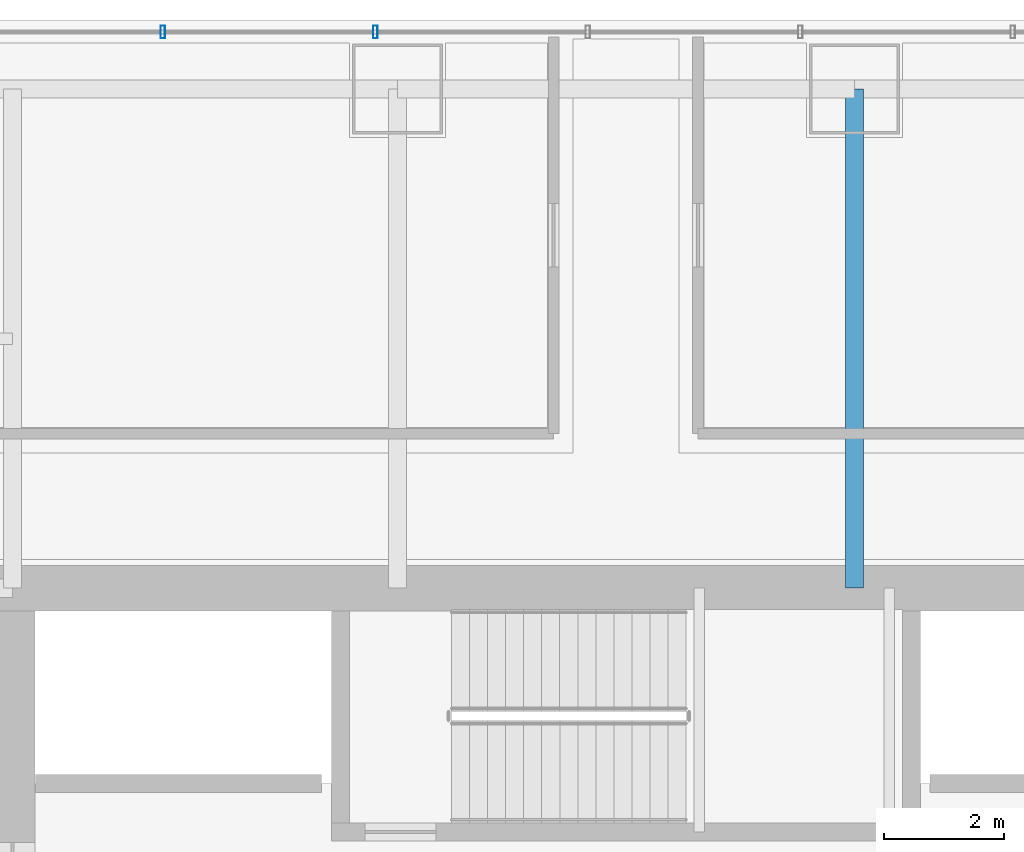
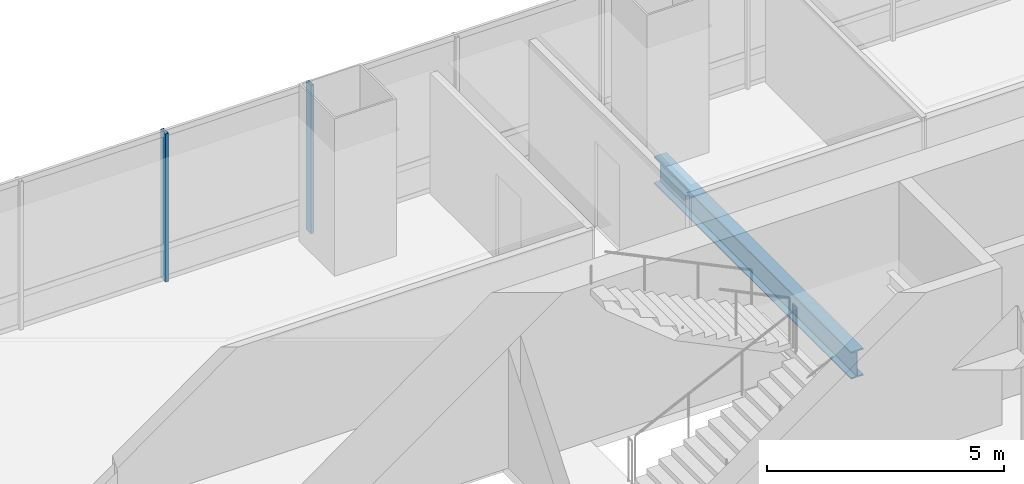
# One storey, part 21 of 36: 2 members, 1 beam, 1 element without a shape of its own.
"""IFC4 building model written with IfcOpenShell, lengths in metres."""

import ifcopenshell
import ifcopenshell.guid

model = None  # the IFC model being written
_history = None  # IfcOwnerHistory: only IFC2X3 demands one
_inside = {}  # id of a spatial element -> (the spatial element, [elements in it])
_under = {}  # id of a project, library or spatial element -> (it, [spatial elements below it])
_declared = {}  # id of a project -> (the project, [libraries it declares])
_typed = {}  # id of a type object -> (the type object, [elements of that type])
_made_of = {}  # id of a material, layer set ... -> (it, [elements and type objects made of it])


def new_model(schema):
    """Start an empty IFC model of exactly this schema.

    Asked for "IFC4X3", IfcOpenShell would pick the latest addendum, in which some entities
    have other attributes; the version numbers below select the first issue.
    IFC2X3 requires an IfcOwnerHistory on every rooted entity: one is made here for all.
    """
    global model, _history
    if schema == "IFC4X3":
        model = ifcopenshell.file(schema_version=(4, 3, 0, 0))
    else:
        model = ifcopenshell.file(schema=schema)
    _inside.clear()
    _under.clear()
    _declared.clear()
    _typed.clear()
    _made_of.clear()
    _history = None
    if model.schema == "IFC2X3":
        org = make("IfcOrganization", Name="unknown")
        user = make(
            "IfcPersonAndOrganization",
            ThePerson=make("IfcPerson", FamilyName="unknown"),
            TheOrganization=org,
        )
        app = make(
            "IfcApplication",
            ApplicationDeveloper=org,
            Version="unknown",
            ApplicationFullName="unknown",
            ApplicationIdentifier="unknown",
        )
        _history = make(
            "IfcOwnerHistory",
            OwningUser=user,
            OwningApplication=app,
            ChangeAction="ADDED",
            CreationDate=0,
        )
    return model


def make(cls, **values):
    """One entity of the class cls with the attributes given. An attribute that is None is left unset."""
    return model.create_entity(
        cls, **{name: value for name, value in values.items() if value is not None}
    )


def rooted(cls, **values):
    """An entity with a GlobalId (a new one), such as an element, a storey or a relation."""
    return make(cls, GlobalId=ifcopenshell.guid.new(), OwnerHistory=_history, **values)


def si_unit(unit_type, name, prefix=None):
    """IfcSIUnit, for example si_unit("LENGTHUNIT", "METRE", prefix="MILLI")."""
    return make("IfcSIUnit", UnitType=unit_type, Prefix=prefix, Name=name)


def assignment(units):
    """IfcUnitAssignment: the units of a project."""
    return None if units is None else make("IfcUnitAssignment", Units=units)


def point(xyz):
    """IfcCartesianPoint."""
    return None if xyz is None else make("IfcCartesianPoint", Coordinates=xyz)


def direction(xyz):
    """IfcDirection."""
    return None if xyz is None else make("IfcDirection", DirectionRatios=xyz)


def frame(location, z_axis=None, x_axis=None):
    """IfcAxis2Placement3D, a coordinate frame: its origin and axes. An axis left out is left unset."""
    return make(
        "IfcAxis2Placement3D",
        Location=point(location),
        Axis=direction(z_axis),
        RefDirection=direction(x_axis),
    )


def frame_2d(location, x_axis=None):
    """IfcAxis2Placement2D, a coordinate frame in the plane: its origin and x axis."""
    return make(
        "IfcAxis2Placement2D", Location=point(location), RefDirection=direction(x_axis)
    )


def origin():
    """The frame at (0, 0, 0) with its axes left unset."""
    return frame((0.0, 0.0, 0.0))


def origin_2d():
    """The frame at (0, 0) in the plane with its x axis left unset."""
    return frame_2d((0.0, 0.0))


def place(relative_to, where):
    """IfcLocalPlacement: puts the frame where relative to a parent placement (None: the world)."""
    return make(
        "IfcLocalPlacement", PlacementRelTo=relative_to, RelativePlacement=where
    )


def context(
    kind, dimensions, precision=None, world=None, true_north=None, identifier=None
):
    """IfcGeometricRepresentationContext, for example the 3D "Model" context."""
    return make(
        "IfcGeometricRepresentationContext",
        ContextIdentifier=identifier,
        ContextType=kind,
        CoordinateSpaceDimension=dimensions,
        Precision=precision,
        WorldCoordinateSystem=world,
        TrueNorth=true_north,
    )


def subcontext(parent, identifier, kind, view, scale=None):
    """IfcGeometricRepresentationSubContext, for example "Body" below "Model"."""
    return make(
        "IfcGeometricRepresentationSubContext",
        ContextIdentifier=identifier,
        ContextType=kind,
        ParentContext=parent,
        TargetScale=scale,
        TargetView=view,
    )


def project(units=None, contexts=None):
    """IfcProject with its units and contexts."""
    return rooted(
        "IfcProject",
        Name="project",
        RepresentationContexts=contexts,
        UnitsInContext=assignment(units),
    )


def spatial(cls, under=None, at=None, **own):
    """A site, building, storey or space (cls), placed at a placement, below another one or the project."""
    s = rooted(cls, ObjectPlacement=at, **own)
    if under is not None:
        _under.setdefault(under.id(), (under, []))[1].append(s)
    return s


def profile(cls, at=None, kind="AREA", **sizes):
    """A parametric profile (cls). Its sizes go by their IFC names, for example OverallWidth=200.0."""
    return make(cls, ProfileType=kind, Position=at, **sizes)


def hollow_rectangle(**sizes):
    """IfcRectangleHollowProfileDef."""
    return profile("IfcRectangleHollowProfileDef", **sizes)


def i_section(**sizes):
    """IfcIShapeProfileDef."""
    return profile("IfcIShapeProfileDef", **sizes)


def extrude(swept, where, along, depth):
    """IfcExtrudedAreaSolid: the profile swept, set in the frame where, extruded along a direction by depth."""
    return make(
        "IfcExtrudedAreaSolid",
        SweptArea=swept,
        Position=where,
        ExtrudedDirection=direction(along),
        Depth=depth,
    )


def shape(context_of_items, identifier, shape_type, items):
    """IfcShapeRepresentation: the items that make up one representation, for example the "Body"."""
    return make(
        "IfcShapeRepresentation",
        ContextOfItems=context_of_items,
        RepresentationIdentifier=identifier,
        RepresentationType=shape_type,
        Items=items,
    )


def material(Name=None, Category=None):
    """IfcMaterial."""
    return make("IfcMaterial", Name=Name, Category=Category)


def material_profile(
    of_material, cross_section, Name=None, Category=None, Priority=None
):
    """IfcMaterialProfile: a cross section and its material."""
    return make(
        "IfcMaterialProfile",
        Name=Name,
        Material=of_material,
        Profile=cross_section,
        Priority=Priority,
        Category=Category,
    )


def profile_set(profiles, Name=None, composite=None):
    """IfcMaterialProfileSet."""
    return make(
        "IfcMaterialProfileSet",
        Name=Name,
        MaterialProfiles=profiles,
        CompositeProfile=composite,
    )


def made_of(thing, what):
    """Note that an element or type object is made of a material, layer set ...; save() writes the relation."""
    if what is not None:
        _made_of.setdefault(what.id(), (what, []))[1].append(thing)
    return thing


def type_object(cls, material=None, **own):
    """A type object (cls), such as IfcWallType, which elements share."""
    return made_of(rooted(cls, **own), material)


def element(
    cls,
    number,
    at=None,
    inside=None,
    cuts=None,
    type_object=None,
    material=None,
    context=None,
    identifier="Body",
    shape_type=None,
    held_by="IfcProductDefinitionShape",
    body=None,
    shapes=None,
    **own,
):
    """One element of the class cls, such as IfcWall. Its Tag is "e" and its number.

    at: its placement. inside: the storey or other place that contains it. cuts: it is an
    opening in that element (IfcRelVoidsElement). A single representation is given by context,
    identifier, shape_type and body (its items); several are given by shapes. held_by: the class
    of the entity that holds the representations. save() writes the other relations.
    """
    e = rooted(cls, Tag="e%d" % number, ObjectPlacement=at, **own)
    if body is not None:
        shapes = [shape(context, identifier, shape_type, body)]
    if shapes is not None:
        e.Representation = make(held_by, Representations=shapes)
    if inside is not None:
        _inside.setdefault(inside.id(), (inside, []))[1].append(e)
    if cuts is not None:
        rooted(
            "IfcRelVoidsElement", RelatingBuildingElement=cuts, RelatedOpeningElement=e
        )
    if type_object is not None:
        _typed.setdefault(type_object.id(), (type_object, []))[1].append(e)
    return made_of(e, material)


def aggregate(whole, parts):
    """IfcRelAggregates: a whole, such as a stair, and the parts it consists of."""
    return rooted("IfcRelAggregates", RelatingObject=whole, RelatedObjects=parts)


def save(model, path):
    """Write the relations noted so far, then the file.

    IfcRelAggregates (storeys below a building ...), IfcRelContainedInSpatialStructure (elements
    in a storey), IfcRelDefinesByType, IfcRelAssociatesMaterial and IfcRelDeclares: one each for
    every whole, place, type object, material and project.
    """
    for whole, parts in _under.values():
        aggregate(whole, parts)
    for where, things in _inside.values():
        rooted(
            "IfcRelContainedInSpatialStructure",
            RelatedElements=things,
            RelatingStructure=where,
        )
    for kind, things in _typed.values():
        rooted("IfcRelDefinesByType", RelatedObjects=things, RelatingType=kind)
    for what, things in _made_of.values():
        rooted("IfcRelAssociatesMaterial", RelatedObjects=things, RelatingMaterial=what)
    for by, libraries in _declared.values():
        rooted("IfcRelDeclares", RelatingContext=by, RelatedDefinitions=libraries)
    model.write(path)


model = new_model("IFC4")

# Units and contexts
model_context = context("Model", 3, precision=1e-05, world=origin(), true_north=direction((0.0, 1.0)))
body_context = subcontext(model_context, "Body", "Model", "MODEL_VIEW")
ifc_project = project(units=[si_unit("LENGTHUNIT", "METRE"), si_unit("AREAUNIT", "SQUARE_METRE"), si_unit("VOLUMEUNIT", "CUBIC_METRE"), si_unit("PLANEANGLEUNIT", "RADIAN"), si_unit("MASSUNIT", "GRAM", prefix="KILO")], contexts=[model_context])

# Site, building, storey
site_placement = place(None, origin())
site = spatial("IfcSite", under=ifc_project, at=site_placement, CompositionType="ELEMENT")
building_placement = place(site_placement, origin())
building = spatial("IfcBuilding", under=site, at=building_placement, Name="Punatoya Terracotta Tower", CompositionType="ELEMENT")
storey_placement = place(building_placement, frame((0.0, 0.0, 40.35009765625)))
storey = spatial("IfcBuildingStorey", under=building, at=storey_placement, Name="L08", CompositionType="ELEMENT", Elevation=40.35009765625)

# Beam
ifc_material_1 = material(Name="Steel S355", Category="steel")
ifc_material_profile_1 = material_profile(ifc_material_1, i_section(OverallWidth=0.300048828125, OverallDepth=0.699951171875, WebThickness=0.01708984375, FlangeThickness=0.031982421875, FilletRadius=0.01806640625, at=origin_2d()))
ifc_profile_set_1 = profile_set([ifc_material_profile_1], Name="Steel S355")
beam_type = type_object("IfcBeamType", Name="BM-PRI-700", PredefinedType="BEAM", material=ifc_profile_set_1)
beam_placement = place(storey_placement, frame((3.800048828125, 9.199951171875, -0.590087890625), z_axis=(0.0, 1.0, 0.0), x_axis=(-1.0, 0.0, 0.0)))
element("IfcBeam", 1, at=beam_placement, inside=storey, type_object=beam_type, Name="BM-L08-PR-N3", PredefinedType="BEAM", context=body_context, shape_type="SweptSolid", body=[
    extrude(i_section(OverallWidth=0.300048828125, OverallDepth=0.699951171875, WebThickness=0.01708984375, FlangeThickness=0.031982421875, FilletRadius=0.01806640625, at=origin_2d()), origin(), (0.0, 0.0, 1.0), 8.300048828125),
])

# Curtain wall, members
ifc_material_2 = material(Name="Aluminium 6063-T6 + Double Low-E Glass", Category="aluminium")
curtain_wall_type = type_object("IfcCurtainWallType", Name="CW-M1", PredefinedType="NOTDEFINED", material=ifc_material_2)
curtain_wall_placement = place(storey_placement, origin())
curtain_wall = element("IfcCurtainWall", 2, at=curtain_wall_placement, inside=storey, type_object=curtain_wall_type, Name="L08 Curtain Wall CW-L08-N09-1", PredefinedType="NOTDEFINED")
ifc_material_3 = material(Name="Aluminium 6063-T6", Category="aluminium")
ifc_material_profile_2 = material_profile(ifc_material_3, hollow_rectangle(XDim=0.074951171875, YDim=0.2099609375, WallThickness=0.00439453125, at=origin_2d()))
ifc_profile_set_2 = profile_set([ifc_material_profile_2], Name="Aluminium 6063-T6")
member_type = type_object("IfcMemberType", Name="CW-MUL-M1", PredefinedType="MULLION", material=ifc_profile_set_2)
member_1_placement = place(storey_placement, frame((-4.1669921875, 18.449951171875, 0.0), z_axis=(0.0, 0.0, 1.0), x_axis=(1.0, 0.0, 0.0)))
member_1 = element("IfcMember", 3, at=member_1_placement, type_object=member_type, Name="CW-L08-N09-1 Mullion 06", PredefinedType="MULLION", context=body_context, shape_type="SweptSolid", body=[
    extrude(hollow_rectangle(XDim=0.074951171875, YDim=0.2099609375, WallThickness=0.00439453125, at=origin_2d()), origin(), (0.0, 0.0, 1.0), 3.809814453125),
])
member_2_placement = place(storey_placement, frame((-7.700927734375, 18.449951171875, 0.0), z_axis=(0.0, 0.0, 1.0), x_axis=(1.0, 0.0, 0.0)))
member_2 = element("IfcMember", 4, at=member_2_placement, type_object=member_type, Name="CW-L08-N09-1 Mullion 07", PredefinedType="MULLION", context=body_context, shape_type="SweptSolid", body=[
    extrude(hollow_rectangle(XDim=0.074951171875, YDim=0.2099609375, WallThickness=0.00439453125, at=origin_2d()), origin(), (0.0, 0.0, 1.0), 3.809814453125),
])
aggregate(curtain_wall, [member_1, member_2])

save(model, "model.ifc")
